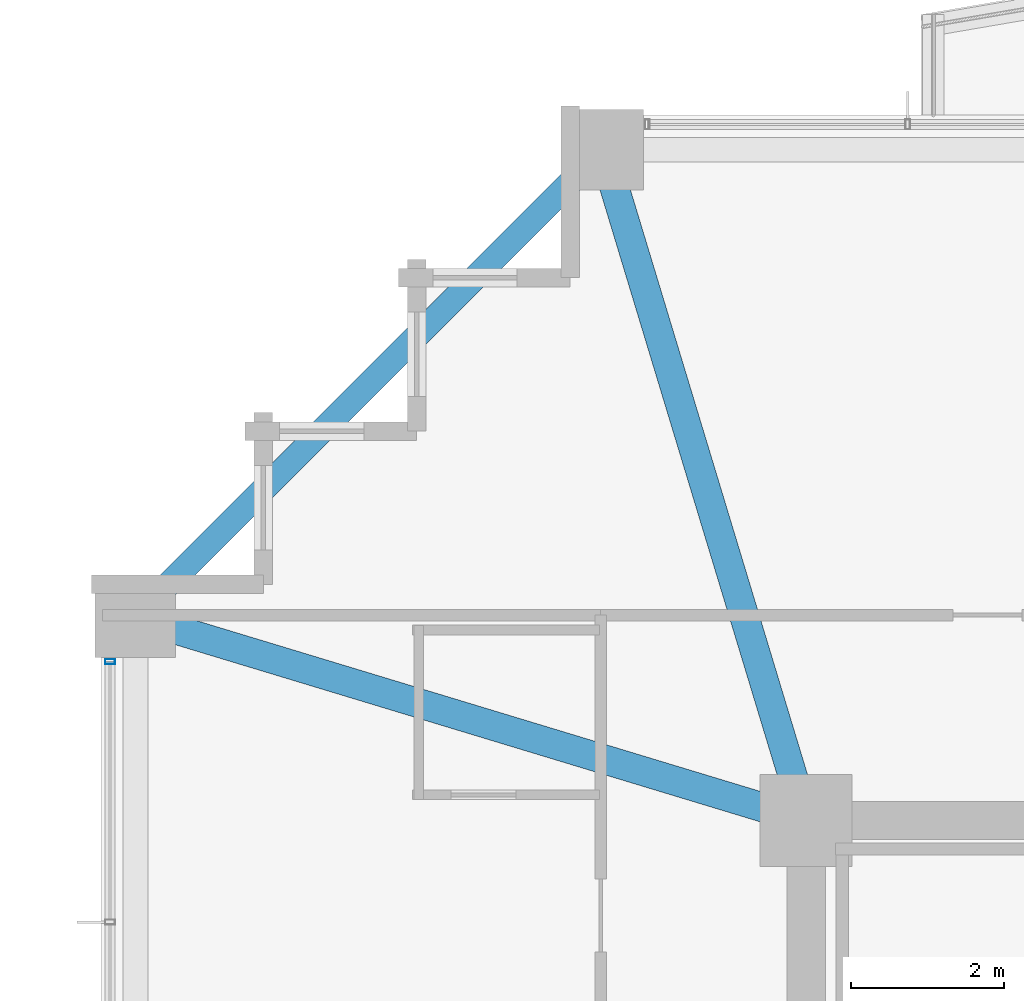
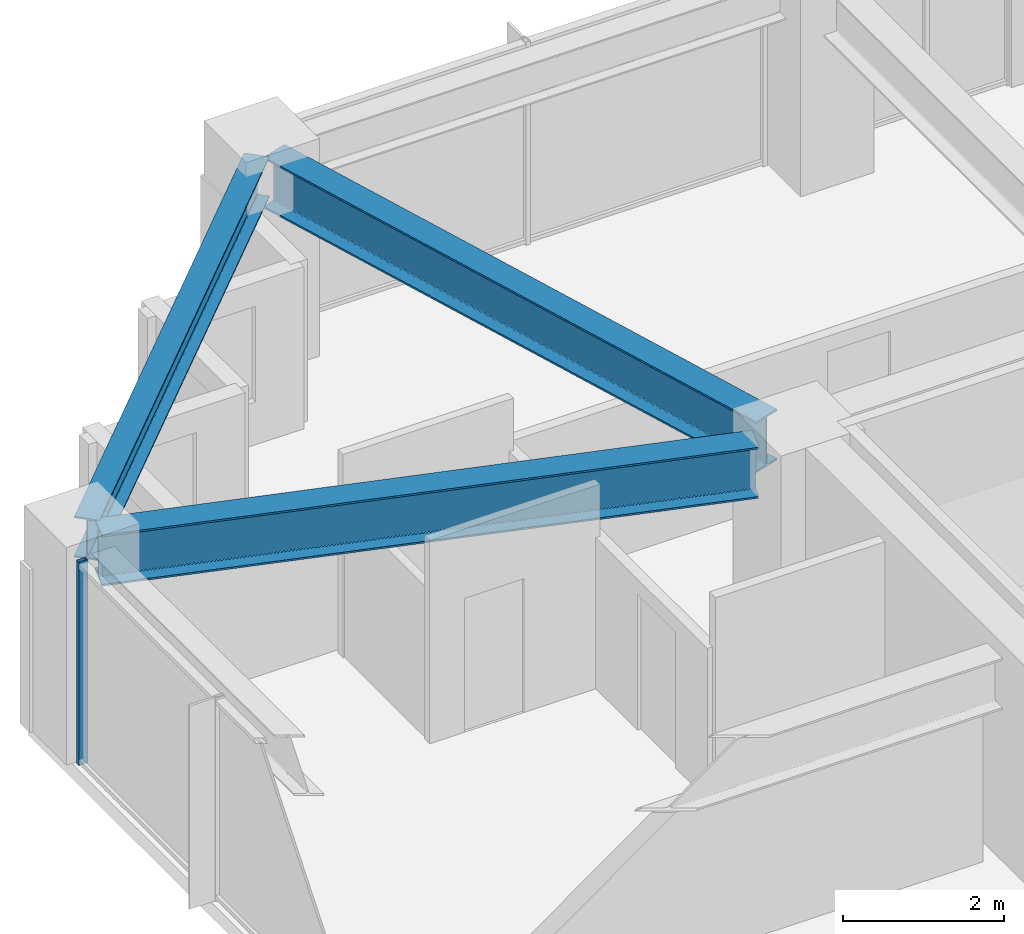
# One storey, part 14 of 31: 3 beams, 1 member, 1 element without a shape of its own.
"""IFC4 building model written with IfcOpenShell, lengths in metres."""

from ifc_helpers import new_model, si_unit, direction, frame, origin, origin_2d, place, context, subcontext, project, spatial, hollow_rectangle, i_section, extrude, material, material_profile, profile_set, type_object, element, aggregate, save


model = new_model("IFC4")

# Units and contexts
model_context = context("Model", 3, precision=1e-05, world=origin(), true_north=direction((0.0, 1.0)))
body_context = subcontext(model_context, "Body", "Model", "MODEL_VIEW")
ifc_project = project(units=[si_unit("LENGTHUNIT", "METRE"), si_unit("AREAUNIT", "SQUARE_METRE"), si_unit("VOLUMEUNIT", "CUBIC_METRE"), si_unit("PLANEANGLEUNIT", "RADIAN"), si_unit("MASSUNIT", "GRAM", prefix="KILO")], contexts=[model_context])

# Site, building, storey
site_placement = place(None, origin())
site = spatial("IfcSite", under=ifc_project, at=site_placement, CompositionType="ELEMENT")
building_placement = place(site_placement, origin())
building = spatial("IfcBuilding", under=site, at=building_placement, Name="Kolvaren Belvedere", CompositionType="ELEMENT")
storey_placement = place(building_placement, frame((0.0, 0.0, 118.39990234375)))
storey = spatial("IfcBuildingStorey", under=building, at=storey_placement, Name="L34", CompositionType="ELEMENT", Elevation=118.39990234375)

# Beams
ifc_material_1 = material(Name="Structural steel ASTM A992 Grade 50", Category="steel")
ifc_material_profile_1 = material_profile(ifc_material_1, i_section(OverallWidth=0.381103515625, OverallDepth=0.77294921875, WebThickness=0.0166015625, FlangeThickness=0.027099609375, FilletRadius=0.02392578125, at=origin_2d()), Name="W30X173")
ifc_profile_set_1 = profile_set([ifc_material_profile_1], Name="Structural steel ASTM A992 Grade 50")
beam_type_1 = type_object("IfcBeamType", Name="BM-GIRD-W30X173", PredefinedType="BEAM", material=ifc_profile_set_1)
for number, where, z_axis, x_axis, name in (
    (1, (-10.059326171875, 10.426513671875, 2.693603515625), (-0.289858652454, 0.957069465398, 0.0), (-0.957069465398, -0.289858652454, 0.0), "L34 Corner Core-to-Perimeter Girder CC4-N1"),
    (2, (-10.426513671875, 10.059326171875, 2.693603515625), (-0.957069465398, 0.289858652454, 0.0), (-0.289858652454, -0.957069465398, 0.0), "L34 Corner Core-to-Perimeter Girder CC4-W4"),
):
    element("IfcBeam", number, at=place(storey_placement, frame(where, z_axis=z_axis, x_axis=x_axis)), inside=storey, type_object=beam_type_1, Name=name, PredefinedType="BEAM", context=body_context, shape_type="SweptSolid", body=[
        extrude(i_section(OverallWidth=0.381103515625, OverallDepth=0.77294921875, WebThickness=0.0166015625, FlangeThickness=0.027099609375, FilletRadius=0.02392578125, at=origin_2d()), origin(), (0.0, 0.0, 1.0), 8.38232421875),
    ])
ifc_material_2 = material(Name="Structural steel ASTM A992 Grade 50", Category="steel")
ifc_material_profile_2 = material_profile(ifc_material_2, i_section(OverallWidth=0.324951171875, OverallDepth=0.615966796875, WebThickness=0.013916015625, FlangeThickness=0.021484375, FilletRadius=0.02001953125, at=origin_2d()), Name="W24X117")
ifc_profile_set_2 = profile_set([ifc_material_profile_2], Name="Structural steel ASTM A992 Grade 50")
beam_type_2 = type_object("IfcBeamType", Name="BM-SPAN-W24X117", PredefinedType="SPANDREL", material=ifc_profile_set_2)
beam_placement = place(storey_placement, frame((-12.717041015625, 18.48291015625, 2.772216796875), z_axis=(-0.707106781187, -0.707106781187, 0.0), x_axis=(0.707106781187, -0.707106781187, 0.0)))
element("IfcBeam", 3, at=beam_placement, inside=storey, type_object=beam_type_2, Name="L34 Perimeter Spandrel N1-W4", PredefinedType="SPANDREL", context=body_context, shape_type="SweptSolid", body=[
    extrude(i_section(OverallWidth=0.324951171875, OverallDepth=0.615966796875, WebThickness=0.013916015625, FlangeThickness=0.021484375, FilletRadius=0.02001953125, at=origin_2d()), origin(), (0.0, 0.0, 1.0), 8.154052734375),
])

# Curtain wall, member
ifc_material_3 = material(Name="Anodised pale-metal aluminium AA 6063-T6", Category="aluminium")
curtain_wall_type = type_object("IfcCurtainWallType", Name="CW-Z3-WAIST", PredefinedType="NOTDEFINED", material=ifc_material_3)
curtain_wall_placement = place(storey_placement, origin())
curtain_wall = element("IfcCurtainWall", 4, at=curtain_wall_placement, inside=storey, type_object=curtain_wall_type, Name="L34 Unitised Curtain Wall FCW-L34-W-B3", PredefinedType="NOTDEFINED")
ifc_material_4 = material(Name="Anodised pale-metal aluminium AA 6063-T6", Category="aluminium")
ifc_material_profile_3 = material_profile(ifc_material_4, hollow_rectangle(XDim=0.06494140625, YDim=0.1298828125, WallThickness=0.00390625, at=origin_2d()), Name="ALU-MUL-130X65")
ifc_profile_set_3 = profile_set([ifc_material_profile_3], Name="Anodised pale-metal aluminium AA 6063-T6")
member_type = type_object("IfcMemberType", Name="CW-MUL-130", PredefinedType="MULLION", material=ifc_profile_set_3)
member_placement = place(storey_placement, frame((-18.97998046875, 11.972412109375, 0.0), z_axis=(0.0, 0.0, 1.0), x_axis=(0.0, 1.0, 0.0)))
member = element("IfcMember", 5, at=member_placement, type_object=member_type, Name="FCW-L34-W-B3 Unitised Mullion 3", PredefinedType="MULLION", context=body_context, shape_type="SweptSolid", body=[
    extrude(hollow_rectangle(XDim=0.06494140625, YDim=0.1298828125, WallThickness=0.00390625, at=origin_2d()), origin(), (0.0, 0.0, 1.0), 3.080078125),
])
aggregate(curtain_wall, [member])

save(model, "model.ifc")
